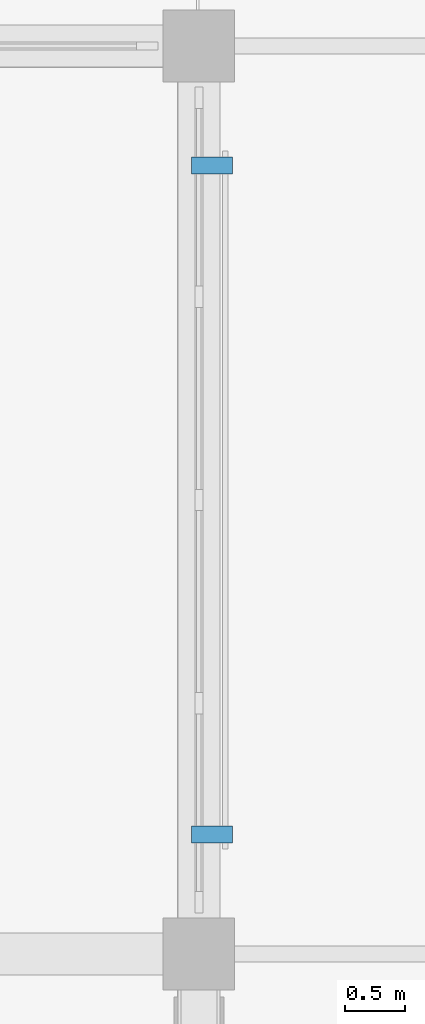
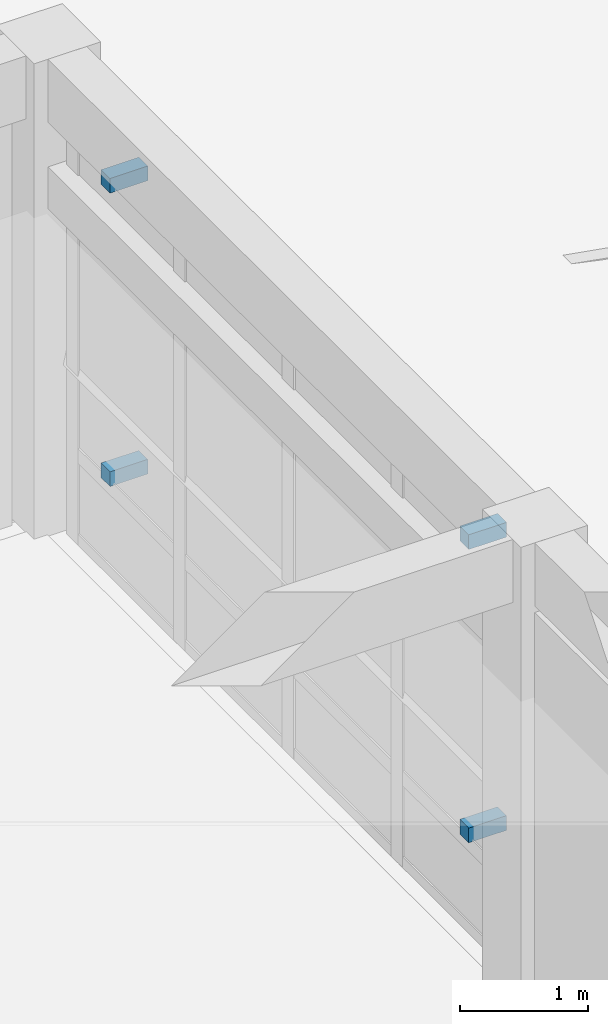
# One storey, part 49 of 57: 4 discrete accessories.
"""IFC4 building model written with IfcOpenShell, lengths in metres."""

import ifcopenshell
import ifcopenshell.guid

model = None  # the IFC model being written
_history = None  # IfcOwnerHistory: only IFC2X3 demands one
_inside = {}  # id of a spatial element -> (the spatial element, [elements in it])
_under = {}  # id of a project, library or spatial element -> (it, [spatial elements below it])
_declared = {}  # id of a project -> (the project, [libraries it declares])
_typed = {}  # id of a type object -> (the type object, [elements of that type])
_made_of = {}  # id of a material, layer set ... -> (it, [elements and type objects made of it])


def new_model(schema):
    """Start an empty IFC model of exactly this schema.

    Asked for "IFC4X3", IfcOpenShell would pick the latest addendum, in which some entities
    have other attributes; the version numbers below select the first issue.
    IFC2X3 requires an IfcOwnerHistory on every rooted entity: one is made here for all.
    """
    global model, _history
    if schema == "IFC4X3":
        model = ifcopenshell.file(schema_version=(4, 3, 0, 0))
    else:
        model = ifcopenshell.file(schema=schema)
    _inside.clear()
    _under.clear()
    _declared.clear()
    _typed.clear()
    _made_of.clear()
    _history = None
    if model.schema == "IFC2X3":
        org = make("IfcOrganization", Name="unknown")
        user = make(
            "IfcPersonAndOrganization",
            ThePerson=make("IfcPerson", FamilyName="unknown"),
            TheOrganization=org,
        )
        app = make(
            "IfcApplication",
            ApplicationDeveloper=org,
            Version="unknown",
            ApplicationFullName="unknown",
            ApplicationIdentifier="unknown",
        )
        _history = make(
            "IfcOwnerHistory",
            OwningUser=user,
            OwningApplication=app,
            ChangeAction="ADDED",
            CreationDate=0,
        )
    return model


def make(cls, **values):
    """One entity of the class cls with the attributes given. An attribute that is None is left unset."""
    return model.create_entity(
        cls, **{name: value for name, value in values.items() if value is not None}
    )


def rooted(cls, **values):
    """An entity with a GlobalId (a new one), such as an element, a storey or a relation."""
    return make(cls, GlobalId=ifcopenshell.guid.new(), OwnerHistory=_history, **values)


def si_unit(unit_type, name, prefix=None):
    """IfcSIUnit, for example si_unit("LENGTHUNIT", "METRE", prefix="MILLI")."""
    return make("IfcSIUnit", UnitType=unit_type, Prefix=prefix, Name=name)


def assignment(units):
    """IfcUnitAssignment: the units of a project."""
    return None if units is None else make("IfcUnitAssignment", Units=units)


def point(xyz):
    """IfcCartesianPoint."""
    return None if xyz is None else make("IfcCartesianPoint", Coordinates=xyz)


def direction(xyz):
    """IfcDirection."""
    return None if xyz is None else make("IfcDirection", DirectionRatios=xyz)


def frame(location, z_axis=None, x_axis=None):
    """IfcAxis2Placement3D, a coordinate frame: its origin and axes. An axis left out is left unset."""
    return make(
        "IfcAxis2Placement3D",
        Location=point(location),
        Axis=direction(z_axis),
        RefDirection=direction(x_axis),
    )


def frame_2d(location, x_axis=None):
    """IfcAxis2Placement2D, a coordinate frame in the plane: its origin and x axis."""
    return make(
        "IfcAxis2Placement2D", Location=point(location), RefDirection=direction(x_axis)
    )


def origin():
    """The frame at (0, 0, 0) with its axes left unset."""
    return frame((0.0, 0.0, 0.0))


def origin_2d():
    """The frame at (0, 0) in the plane with its x axis left unset."""
    return frame_2d((0.0, 0.0))


def place(relative_to, where):
    """IfcLocalPlacement: puts the frame where relative to a parent placement (None: the world)."""
    return make(
        "IfcLocalPlacement", PlacementRelTo=relative_to, RelativePlacement=where
    )


def context(
    kind, dimensions, precision=None, world=None, true_north=None, identifier=None
):
    """IfcGeometricRepresentationContext, for example the 3D "Model" context."""
    return make(
        "IfcGeometricRepresentationContext",
        ContextIdentifier=identifier,
        ContextType=kind,
        CoordinateSpaceDimension=dimensions,
        Precision=precision,
        WorldCoordinateSystem=world,
        TrueNorth=true_north,
    )


def subcontext(parent, identifier, kind, view, scale=None):
    """IfcGeometricRepresentationSubContext, for example "Body" below "Model"."""
    return make(
        "IfcGeometricRepresentationSubContext",
        ContextIdentifier=identifier,
        ContextType=kind,
        ParentContext=parent,
        TargetScale=scale,
        TargetView=view,
    )


def project(units=None, contexts=None):
    """IfcProject with its units and contexts."""
    return rooted(
        "IfcProject",
        Name="project",
        RepresentationContexts=contexts,
        UnitsInContext=assignment(units),
    )


def spatial(cls, under=None, at=None, **own):
    """A site, building, storey or space (cls), placed at a placement, below another one or the project."""
    s = rooted(cls, ObjectPlacement=at, **own)
    if under is not None:
        _under.setdefault(under.id(), (under, []))[1].append(s)
    return s


def profile(cls, at=None, kind="AREA", **sizes):
    """A parametric profile (cls). Its sizes go by their IFC names, for example OverallWidth=200.0."""
    return make(cls, ProfileType=kind, Position=at, **sizes)


def rectangle(**sizes):
    """IfcRectangleProfileDef."""
    return profile("IfcRectangleProfileDef", **sizes)


def extrude(swept, where, along, depth):
    """IfcExtrudedAreaSolid: the profile swept, set in the frame where, extruded along a direction by depth."""
    return make(
        "IfcExtrudedAreaSolid",
        SweptArea=swept,
        Position=where,
        ExtrudedDirection=direction(along),
        Depth=depth,
    )


def shape(context_of_items, identifier, shape_type, items):
    """IfcShapeRepresentation: the items that make up one representation, for example the "Body"."""
    return make(
        "IfcShapeRepresentation",
        ContextOfItems=context_of_items,
        RepresentationIdentifier=identifier,
        RepresentationType=shape_type,
        Items=items,
    )


def material(Name=None, Category=None):
    """IfcMaterial."""
    return make("IfcMaterial", Name=Name, Category=Category)


def made_of(thing, what):
    """Note that an element or type object is made of a material, layer set ...; save() writes the relation."""
    if what is not None:
        _made_of.setdefault(what.id(), (what, []))[1].append(thing)
    return thing


def type_object(cls, material=None, **own):
    """A type object (cls), such as IfcWallType, which elements share."""
    return made_of(rooted(cls, **own), material)


def element(
    cls,
    number,
    at=None,
    inside=None,
    cuts=None,
    type_object=None,
    material=None,
    context=None,
    identifier="Body",
    shape_type=None,
    held_by="IfcProductDefinitionShape",
    body=None,
    shapes=None,
    **own,
):
    """One element of the class cls, such as IfcWall. Its Tag is "e" and its number.

    at: its placement. inside: the storey or other place that contains it. cuts: it is an
    opening in that element (IfcRelVoidsElement). A single representation is given by context,
    identifier, shape_type and body (its items); several are given by shapes. held_by: the class
    of the entity that holds the representations. save() writes the other relations.
    """
    e = rooted(cls, Tag="e%d" % number, ObjectPlacement=at, **own)
    if body is not None:
        shapes = [shape(context, identifier, shape_type, body)]
    if shapes is not None:
        e.Representation = make(held_by, Representations=shapes)
    if inside is not None:
        _inside.setdefault(inside.id(), (inside, []))[1].append(e)
    if cuts is not None:
        rooted(
            "IfcRelVoidsElement", RelatingBuildingElement=cuts, RelatedOpeningElement=e
        )
    if type_object is not None:
        _typed.setdefault(type_object.id(), (type_object, []))[1].append(e)
    return made_of(e, material)


def aggregate(whole, parts):
    """IfcRelAggregates: a whole, such as a stair, and the parts it consists of."""
    return rooted("IfcRelAggregates", RelatingObject=whole, RelatedObjects=parts)


def save(model, path):
    """Write the relations noted so far, then the file.

    IfcRelAggregates (storeys below a building ...), IfcRelContainedInSpatialStructure (elements
    in a storey), IfcRelDefinesByType, IfcRelAssociatesMaterial and IfcRelDeclares: one each for
    every whole, place, type object, material and project.
    """
    for whole, parts in _under.values():
        aggregate(whole, parts)
    for where, things in _inside.values():
        rooted(
            "IfcRelContainedInSpatialStructure",
            RelatedElements=things,
            RelatingStructure=where,
        )
    for kind, things in _typed.values():
        rooted("IfcRelDefinesByType", RelatedObjects=things, RelatingType=kind)
    for what, things in _made_of.values():
        rooted("IfcRelAssociatesMaterial", RelatedObjects=things, RelatingMaterial=what)
    for by, libraries in _declared.values():
        rooted("IfcRelDeclares", RelatingContext=by, RelatedDefinitions=libraries)
    model.write(path)


model = new_model("IFC4")

# Units and contexts
model_context = context("Model", 3, precision=1e-05, world=origin(), true_north=direction((0.0, 1.0)))
body_context = subcontext(model_context, "Body", "Model", "MODEL_VIEW")
ifc_project = project(units=[si_unit("LENGTHUNIT", "METRE"), si_unit("AREAUNIT", "SQUARE_METRE"), si_unit("VOLUMEUNIT", "CUBIC_METRE"), si_unit("PLANEANGLEUNIT", "RADIAN"), si_unit("MASSUNIT", "GRAM", prefix="KILO")], contexts=[model_context])

# Site, building, storey
site_placement = place(None, origin())
site = spatial("IfcSite", under=ifc_project, at=site_placement, CompositionType="ELEMENT")
building_placement = place(site_placement, origin())
building = spatial("IfcBuilding", under=site, at=building_placement, Name="Qandaris Square Conservatory and Botanical Centre", CompositionType="ELEMENT")
storey_placement = place(building_placement, frame((0.0, 0.0, 5.39990234375)))
storey = spatial("IfcBuildingStorey", under=building, at=storey_placement, Name="L01", CompositionType="ELEMENT", Elevation=5.39990234375)

# Discrete accessories
ifc_material = material(Name="Steel S355", Category="steel")
discrete_accessory_type = type_object("IfcDiscreteAccessoryType", Name="Mashrabiya Support Outrigger Bracket", PredefinedType="BRACKET", material=ifc_material)
for number, where, z_axis, x_axis, name in (
    (1, (163.909912109375, 101.199951171875, 0.900390625), (0.0, 0.0, 1.0), (0.0, 1.0, 0.0), "Mashrabiya Bracket CW-TWR-L01-2-12-BRK-6-64"),
    (2, (163.909912109375, 101.199951171875, 3.6953125), (0.0, 0.0, 1.0), (0.0, 1.0, 0.0), "Mashrabiya Bracket CW-TWR-L01-2-12-BRK-6-92"),
    (3, (163.909912109375, 106.800048828125, 0.900390625), (0.0, 0.0, 1.0), (0.0, 1.0, 0.0), "Mashrabiya Bracket CW-TWR-L01-2-12-BRK-62-64"),
    (4, (163.909912109375, 106.800048828125, 3.6953125), (0.0, 0.0, 1.0), (0.0, 1.0, 0.0), "Mashrabiya Bracket CW-TWR-L01-2-12-BRK-62-92"),
):
    element("IfcDiscreteAccessory", number, at=place(storey_placement, frame(where, z_axis=z_axis, x_axis=x_axis)), inside=storey, type_object=discrete_accessory_type, Name=name, PredefinedType="BRACKET", context=body_context, shape_type="SweptSolid", body=[
        extrude(rectangle(XDim=0.139892578125, YDim=0.340087890625, at=origin_2d()), origin(), (0.0, 0.0, 1.0), 0.139892578125),
    ])

save(model, "model.ifc")
